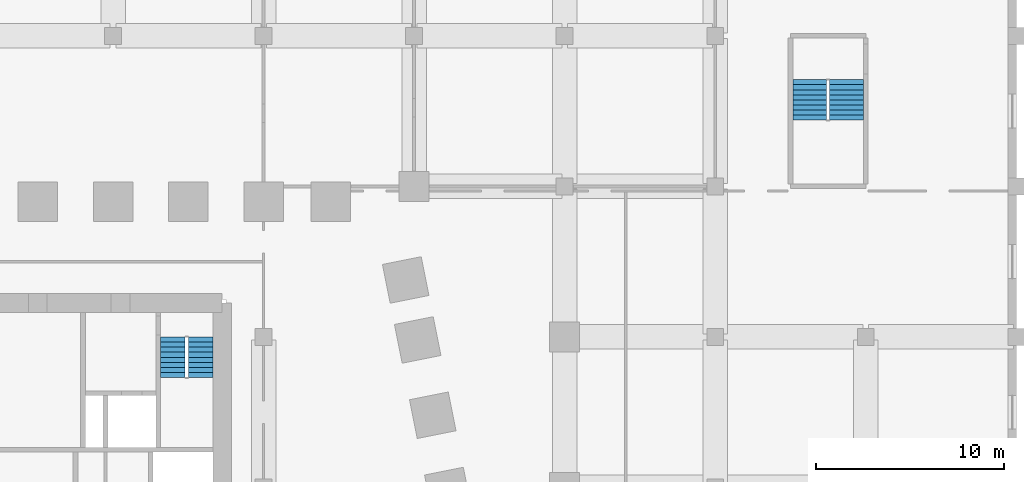
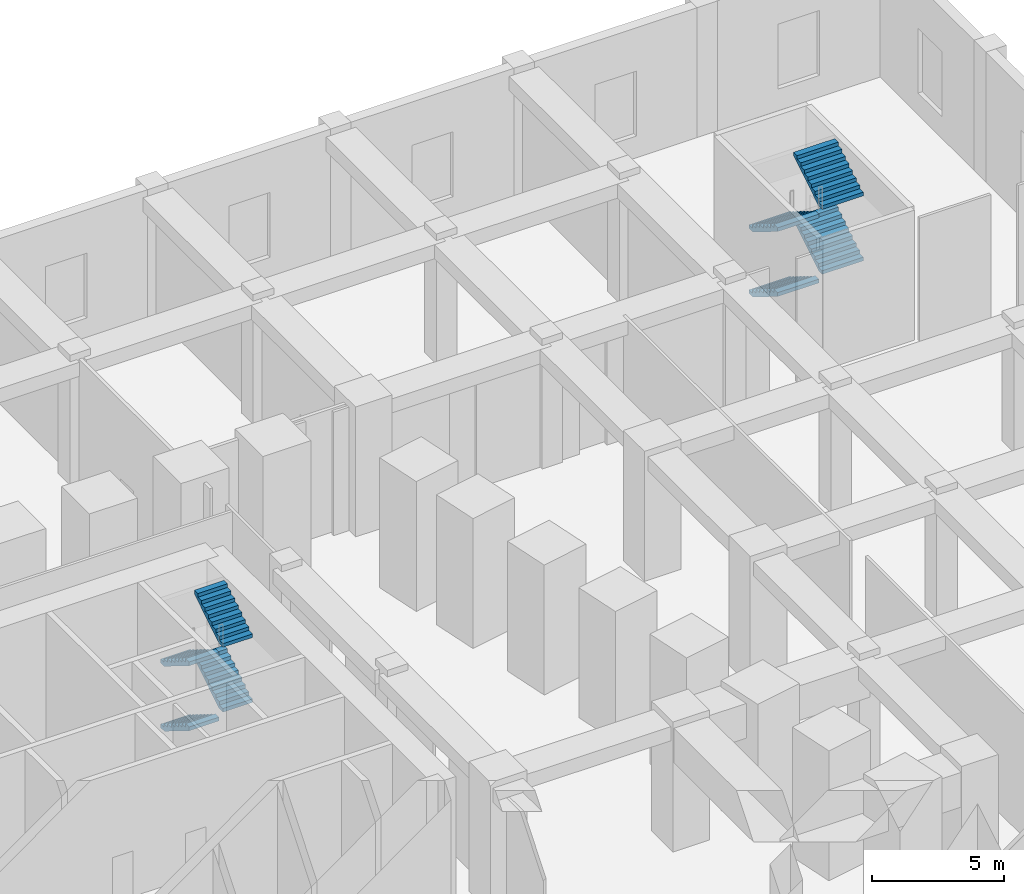
# One storey, part 15 of 25: 8 stair flights, 2 elements without a shape of their own.
"""IFC4 building model written with IfcOpenShell, lengths in metres."""

from ifc_helpers import new_model, si_unit, direction, frame, origin, place, context, subcontext, project, spatial, polyline, outline, extrude, material, type_object, element, aggregate, save


model = new_model("IFC4")

# Units and contexts
model_context = context("Model", 3, precision=1e-05, world=origin(), true_north=direction((0.0, 1.0)))
body_context = subcontext(model_context, "Body", "Model", "MODEL_VIEW")
ifc_project = project(units=[si_unit("LENGTHUNIT", "METRE"), si_unit("AREAUNIT", "SQUARE_METRE"), si_unit("VOLUMEUNIT", "CUBIC_METRE"), si_unit("PLANEANGLEUNIT", "RADIAN"), si_unit("MASSUNIT", "GRAM", prefix="KILO")], contexts=[model_context])

# Site, building, storey
site_placement = place(None, origin())
site = spatial("IfcSite", under=ifc_project, at=site_placement, CompositionType="ELEMENT")
building_placement = place(site_placement, origin())
building = spatial("IfcBuilding", under=site, at=building_placement, Name="Isbrekke Arena Tower", CompositionType="ELEMENT")
storey_placement = place(building_placement, frame((0.0, 0.0, 6.0)))
storey = spatial("IfcBuildingStorey", under=building, at=storey_placement, Name="L01", CompositionType="ELEMENT", Elevation=6.0)

# Stair, stair flights
ifc_material_1 = material(Name="Concrete B45 (C45/55) precast", Category="concrete")
stair_type_1 = type_object("IfcStairType", Name="ST60 STAIR 1300 WIDE, 36 RISERS 167", PredefinedType="HALF_TURN_STAIR", material=ifc_material_1)
stair_1_placement = place(storey_placement, origin())
stair_1 = element("IfcStair", 1, at=stair_1_placement, inside=storey, type_object=stair_type_1, Name="ST2 stair L01", PredefinedType="HALF_TURN_STAIR")
ifc_material_2 = material(Name="Concrete B45 (C45/55) precast", Category="concrete")
stair_flight_type_1 = type_object("IfcStairFlightType", Name="SF 1300 FLIGHT", PredefinedType="STRAIGHT", material=ifc_material_2)
stair_flight_1_placement = place(storey_placement, frame((11.175048828125, 22.0, 0.0), z_axis=(0.0, 0.0, 1.0), x_axis=(0.0, -1.0, 0.0)))
stair_flight_1 = element("IfcStairFlight", 2, at=stair_flight_1_placement, type_object=stair_flight_type_1, Name="ST2 flight 1", NumberOfRisers=9, NumberOfTreads=8, PredefinedType="STRAIGHT", RiserHeight=0.166666667, TreadLength=0.27, context=body_context, shape_type="SweptSolid", body=[
    extrude(outline(polyline([(0.0, 0.0), (0.0, 0.166748046875), (0.27001953125, 0.166748046875), (0.27001953125, 0.333251953125), (0.5400390625, 0.333251953125), (0.5400390625, 0.5), (0.81005859375, 0.5), (0.81005859375, 0.666748046875), (1.080078125, 0.666748046875), (1.080078125, 0.833251953125), (1.35009765625, 0.833251953125), (1.35009765625, 1.0), (1.6201171875, 1.0), (1.6201171875, 1.166748046875), (1.889892578125, 1.166748046875), (1.889892578125, 1.333251953125), (2.159912109375, 1.333251953125), (2.159912109375, 1.5), (2.159912109375, 1.1572265625), (0.285400390625, 0.0), (0.0, 0.0)])), frame((0.0, 0.64990234375, 0.0), z_axis=(0.0, -1.0, 0.0), x_axis=(1.0, 0.0, 0.0)), (0.0, 0.0, 1.0), 1.300048828125),
])
stair_flight_2_placement = place(storey_placement, frame((12.64990234375, 19.840087890625, 1.5), z_axis=(0.0, 0.0, 1.0), x_axis=(0.0, 1.0, 0.0)))
stair_flight_2 = element("IfcStairFlight", 3, at=stair_flight_2_placement, type_object=stair_flight_type_1, Name="ST2 flight 2", NumberOfRisers=9, NumberOfTreads=8, PredefinedType="STRAIGHT", RiserHeight=0.166666667, TreadLength=0.27, context=body_context, shape_type="SweptSolid", body=[
    extrude(outline(polyline([(0.0, 0.0), (0.0, 0.166748046875), (0.27001953125, 0.166748046875), (0.27001953125, 0.333251953125), (0.5400390625, 0.333251953125), (0.5400390625, 0.5), (0.81005859375, 0.5), (0.81005859375, 0.666748046875), (1.080078125, 0.666748046875), (1.080078125, 0.833251953125), (1.35009765625, 0.833251953125), (1.35009765625, 1.0), (1.6201171875, 1.0), (1.6201171875, 1.166748046875), (1.889892578125, 1.166748046875), (1.889892578125, 1.333251953125), (2.159912109375, 1.333251953125), (2.159912109375, 1.5), (2.159912109375, 1.1572265625), (0.285400390625, 0.0), (0.0, 0.0)])), frame((0.0, 0.64990234375, 0.0), z_axis=(0.0, -1.0, 0.0), x_axis=(1.0, 0.0, 0.0)), (0.0, 0.0, 1.0), 1.300048828125),
])
stair_flight_3_placement = place(storey_placement, frame((11.175048828125, 22.0, 3.0), z_axis=(0.0, 0.0, 1.0), x_axis=(0.0, -1.0, 0.0)))
stair_flight_3 = element("IfcStairFlight", 4, at=stair_flight_3_placement, type_object=stair_flight_type_1, Name="ST2 flight 3", NumberOfRisers=9, NumberOfTreads=8, PredefinedType="STRAIGHT", RiserHeight=0.166666667, TreadLength=0.27, context=body_context, shape_type="SweptSolid", body=[
    extrude(outline(polyline([(0.0, 0.0), (0.0, 0.166748046875), (0.27001953125, 0.166748046875), (0.27001953125, 0.333251953125), (0.5400390625, 0.333251953125), (0.5400390625, 0.5), (0.81005859375, 0.5), (0.81005859375, 0.666748046875), (1.080078125, 0.666748046875), (1.080078125, 0.833251953125), (1.35009765625, 0.833251953125), (1.35009765625, 1.0), (1.6201171875, 1.0), (1.6201171875, 1.166748046875), (1.889892578125, 1.166748046875), (1.889892578125, 1.333251953125), (2.159912109375, 1.333251953125), (2.159912109375, 1.5), (2.159912109375, 1.1572265625), (0.285400390625, 0.0), (0.0, 0.0)])), frame((0.0, 0.64990234375, 0.0), z_axis=(0.0, -1.0, 0.0), x_axis=(1.0, 0.0, 0.0)), (0.0, 0.0, 1.0), 1.300048828125),
])
stair_flight_4_placement = place(storey_placement, frame((12.64990234375, 19.840087890625, 4.5), z_axis=(0.0, 0.0, 1.0), x_axis=(0.0, 1.0, 0.0)))
stair_flight_4 = element("IfcStairFlight", 5, at=stair_flight_4_placement, type_object=stair_flight_type_1, Name="ST2 flight 4", NumberOfRisers=9, NumberOfTreads=8, PredefinedType="STRAIGHT", RiserHeight=0.166666667, TreadLength=0.27, context=body_context, shape_type="SweptSolid", body=[
    extrude(outline(polyline([(0.0, 0.0), (0.0, 0.166748046875), (0.27001953125, 0.166748046875), (0.27001953125, 0.333251953125), (0.5400390625, 0.333251953125), (0.5400390625, 0.5), (0.81005859375, 0.5), (0.81005859375, 0.666748046875), (1.080078125, 0.666748046875), (1.080078125, 0.833251953125), (1.35009765625, 0.833251953125), (1.35009765625, 1.0), (1.6201171875, 1.0), (1.6201171875, 1.166748046875), (1.889892578125, 1.166748046875), (1.889892578125, 1.333251953125), (2.159912109375, 1.333251953125), (2.159912109375, 1.5), (2.159912109375, 1.1572265625), (0.285400390625, 0.0), (0.0, 0.0)])), frame((0.0, 0.64990234375, 0.0), z_axis=(0.0, -1.0, 0.0), x_axis=(1.0, 0.0, 0.0)), (0.0, 0.0, 1.0), 1.300048828125),
])
aggregate(stair_1, [stair_flight_1, stair_flight_2, stair_flight_3, stair_flight_4])

ifc_material_3 = material(Name="Concrete B45 (C45/55) precast", Category="concrete")
stair_type_2 = type_object("IfcStairType", Name="ST60 STAIR 1800 WIDE, 36 RISERS 167", PredefinedType="HALF_TURN_STAIR", material=ifc_material_3)
stair_2_placement = place(storey_placement, origin())
stair_2 = element("IfcStair", 6, at=stair_2_placement, inside=storey, type_object=stair_type_2, Name="P1 stair L01", PredefinedType="HALF_TURN_STAIR")
ifc_material_4 = material(Name="Concrete B45 (C45/55) precast", Category="concrete")
stair_flight_type_2 = type_object("IfcStairFlightType", Name="SF 1800 FLIGHT", PredefinedType="STRAIGHT", material=ifc_material_4)
stair_flight_5_placement = place(storey_placement, frame((45.02490234375, 35.675048828125, 0.0), z_axis=(0.0, 0.0, 1.0), x_axis=(0.0, -1.0, 0.0)))
stair_flight_5 = element("IfcStairFlight", 7, at=stair_flight_5_placement, type_object=stair_flight_type_2, Name="P1 flight 1", NumberOfRisers=9, NumberOfTreads=8, PredefinedType="STRAIGHT", RiserHeight=0.166666667, TreadLength=0.27, context=body_context, shape_type="SweptSolid", body=[
    extrude(outline(polyline([(0.0, 0.0), (0.0, 0.166748046875), (0.27001953125, 0.166748046875), (0.27001953125, 0.333251953125), (0.5400390625, 0.333251953125), (0.5400390625, 0.5), (0.81005859375, 0.5), (0.81005859375, 0.666748046875), (1.080078125, 0.666748046875), (1.080078125, 0.833251953125), (1.35009765625, 0.833251953125), (1.35009765625, 1.0), (1.6201171875, 1.0), (1.6201171875, 1.166748046875), (1.889892578125, 1.166748046875), (1.889892578125, 1.333251953125), (2.159912109375, 1.333251953125), (2.159912109375, 1.5), (2.159912109375, 1.1572265625), (0.285400390625, 0.0), (0.0, 0.0)])), frame((0.0, 0.89990234375, 0.0), z_axis=(0.0, -1.0, 0.0), x_axis=(1.0, 0.0, 0.0)), (0.0, 0.0, 1.0), 0.90087890625),
    extrude(outline(polyline([(0.0, 0.0), (0.0, 0.166748046875), (0.27001953125, 0.166748046875), (0.27001953125, 0.333251953125), (0.5400390625, 0.333251953125), (0.5400390625, 0.5), (0.81005859375, 0.5), (0.81005859375, 0.666748046875), (1.080078125, 0.666748046875), (1.080078125, 0.833251953125), (1.35009765625, 0.833251953125), (1.35009765625, 1.0), (1.6201171875, 1.0), (1.6201171875, 1.166748046875), (1.889892578125, 1.166748046875), (1.889892578125, 1.333251953125), (2.159912109375, 1.333251953125), (2.159912109375, 1.5), (2.159912109375, 1.1572265625), (0.285400390625, 0.0), (0.0, 0.0)])), frame((0.0, 0.0009765625, 0.0), z_axis=(0.0, -1.0, 0.0), x_axis=(1.0, 0.0, 0.0)), (0.0, 0.0, 1.0), 0.90087890625),
])
stair_flight_6_placement = place(storey_placement, frame((46.97509765625, 33.514892578125, 1.5), z_axis=(0.0, 0.0, 1.0), x_axis=(0.0, 1.0, 0.0)))
stair_flight_6 = element("IfcStairFlight", 8, at=stair_flight_6_placement, type_object=stair_flight_type_2, Name="P1 flight 2", NumberOfRisers=9, NumberOfTreads=8, PredefinedType="STRAIGHT", RiserHeight=0.166666667, TreadLength=0.27, context=body_context, shape_type="SweptSolid", body=[
    extrude(outline(polyline([(0.0, 0.0), (0.0, 0.166748046875), (0.27001953125, 0.166748046875), (0.27001953125, 0.333251953125), (0.5400390625, 0.333251953125), (0.5400390625, 0.5), (0.81005859375, 0.5), (0.81005859375, 0.666748046875), (1.080078125, 0.666748046875), (1.080078125, 0.833251953125), (1.35009765625, 0.833251953125), (1.35009765625, 1.0), (1.6201171875, 1.0), (1.6201171875, 1.166748046875), (1.889892578125, 1.166748046875), (1.889892578125, 1.333251953125), (2.159912109375, 1.333251953125), (2.159912109375, 1.5), (2.159912109375, 1.1572265625), (0.285400390625, 0.0), (0.0, 0.0)])), frame((0.0, 0.89990234375, 0.0), z_axis=(0.0, -1.0, 0.0), x_axis=(1.0, 0.0, 0.0)), (0.0, 0.0, 1.0), 0.90087890625),
    extrude(outline(polyline([(0.0, 0.0), (0.0, 0.166748046875), (0.27001953125, 0.166748046875), (0.27001953125, 0.333251953125), (0.5400390625, 0.333251953125), (0.5400390625, 0.5), (0.81005859375, 0.5), (0.81005859375, 0.666748046875), (1.080078125, 0.666748046875), (1.080078125, 0.833251953125), (1.35009765625, 0.833251953125), (1.35009765625, 1.0), (1.6201171875, 1.0), (1.6201171875, 1.166748046875), (1.889892578125, 1.166748046875), (1.889892578125, 1.333251953125), (2.159912109375, 1.333251953125), (2.159912109375, 1.5), (2.159912109375, 1.1572265625), (0.285400390625, 0.0), (0.0, 0.0)])), frame((0.0, 0.0009765625, 0.0), z_axis=(0.0, -1.0, 0.0), x_axis=(1.0, 0.0, 0.0)), (0.0, 0.0, 1.0), 0.90087890625),
])
stair_flight_7_placement = place(storey_placement, frame((45.02490234375, 35.675048828125, 3.0), z_axis=(0.0, 0.0, 1.0), x_axis=(0.0, -1.0, 0.0)))
stair_flight_7 = element("IfcStairFlight", 9, at=stair_flight_7_placement, type_object=stair_flight_type_2, Name="P1 flight 3", NumberOfRisers=9, NumberOfTreads=8, PredefinedType="STRAIGHT", RiserHeight=0.166666667, TreadLength=0.27, context=body_context, shape_type="SweptSolid", body=[
    extrude(outline(polyline([(0.0, 0.0), (0.0, 0.166748046875), (0.27001953125, 0.166748046875), (0.27001953125, 0.333251953125), (0.5400390625, 0.333251953125), (0.5400390625, 0.5), (0.81005859375, 0.5), (0.81005859375, 0.666748046875), (1.080078125, 0.666748046875), (1.080078125, 0.833251953125), (1.35009765625, 0.833251953125), (1.35009765625, 1.0), (1.6201171875, 1.0), (1.6201171875, 1.166748046875), (1.889892578125, 1.166748046875), (1.889892578125, 1.333251953125), (2.159912109375, 1.333251953125), (2.159912109375, 1.5), (2.159912109375, 1.1572265625), (0.285400390625, 0.0), (0.0, 0.0)])), frame((0.0, 0.89990234375, 0.0), z_axis=(0.0, -1.0, 0.0), x_axis=(1.0, 0.0, 0.0)), (0.0, 0.0, 1.0), 0.90087890625),
    extrude(outline(polyline([(0.0, 0.0), (0.0, 0.166748046875), (0.27001953125, 0.166748046875), (0.27001953125, 0.333251953125), (0.5400390625, 0.333251953125), (0.5400390625, 0.5), (0.81005859375, 0.5), (0.81005859375, 0.666748046875), (1.080078125, 0.666748046875), (1.080078125, 0.833251953125), (1.35009765625, 0.833251953125), (1.35009765625, 1.0), (1.6201171875, 1.0), (1.6201171875, 1.166748046875), (1.889892578125, 1.166748046875), (1.889892578125, 1.333251953125), (2.159912109375, 1.333251953125), (2.159912109375, 1.5), (2.159912109375, 1.1572265625), (0.285400390625, 0.0), (0.0, 0.0)])), frame((0.0, 0.0009765625, 0.0), z_axis=(0.0, -1.0, 0.0), x_axis=(1.0, 0.0, 0.0)), (0.0, 0.0, 1.0), 0.90087890625),
])
stair_flight_8_placement = place(storey_placement, frame((46.97509765625, 33.514892578125, 4.5), z_axis=(0.0, 0.0, 1.0), x_axis=(0.0, 1.0, 0.0)))
stair_flight_8 = element("IfcStairFlight", 10, at=stair_flight_8_placement, type_object=stair_flight_type_2, Name="P1 flight 4", NumberOfRisers=9, NumberOfTreads=8, PredefinedType="STRAIGHT", RiserHeight=0.166666667, TreadLength=0.27, context=body_context, shape_type="SweptSolid", body=[
    extrude(outline(polyline([(0.0, 0.0), (0.0, 0.166748046875), (0.27001953125, 0.166748046875), (0.27001953125, 0.333251953125), (0.5400390625, 0.333251953125), (0.5400390625, 0.5), (0.81005859375, 0.5), (0.81005859375, 0.666748046875), (1.080078125, 0.666748046875), (1.080078125, 0.833251953125), (1.35009765625, 0.833251953125), (1.35009765625, 1.0), (1.6201171875, 1.0), (1.6201171875, 1.166748046875), (1.889892578125, 1.166748046875), (1.889892578125, 1.333251953125), (2.159912109375, 1.333251953125), (2.159912109375, 1.5), (2.159912109375, 1.1572265625), (0.285400390625, 0.0), (0.0, 0.0)])), frame((0.0, 0.89990234375, 0.0), z_axis=(0.0, -1.0, 0.0), x_axis=(1.0, 0.0, 0.0)), (0.0, 0.0, 1.0), 0.90087890625),
    extrude(outline(polyline([(0.0, 0.0), (0.0, 0.166748046875), (0.27001953125, 0.166748046875), (0.27001953125, 0.333251953125), (0.5400390625, 0.333251953125), (0.5400390625, 0.5), (0.81005859375, 0.5), (0.81005859375, 0.666748046875), (1.080078125, 0.666748046875), (1.080078125, 0.833251953125), (1.35009765625, 0.833251953125), (1.35009765625, 1.0), (1.6201171875, 1.0), (1.6201171875, 1.166748046875), (1.889892578125, 1.166748046875), (1.889892578125, 1.333251953125), (2.159912109375, 1.333251953125), (2.159912109375, 1.5), (2.159912109375, 1.1572265625), (0.285400390625, 0.0), (0.0, 0.0)])), frame((0.0, 0.0009765625, 0.0), z_axis=(0.0, -1.0, 0.0), x_axis=(1.0, 0.0, 0.0)), (0.0, 0.0, 1.0), 0.90087890625),
])
aggregate(stair_2, [stair_flight_5, stair_flight_6, stair_flight_7, stair_flight_8])

save(model, "model.ifc")
